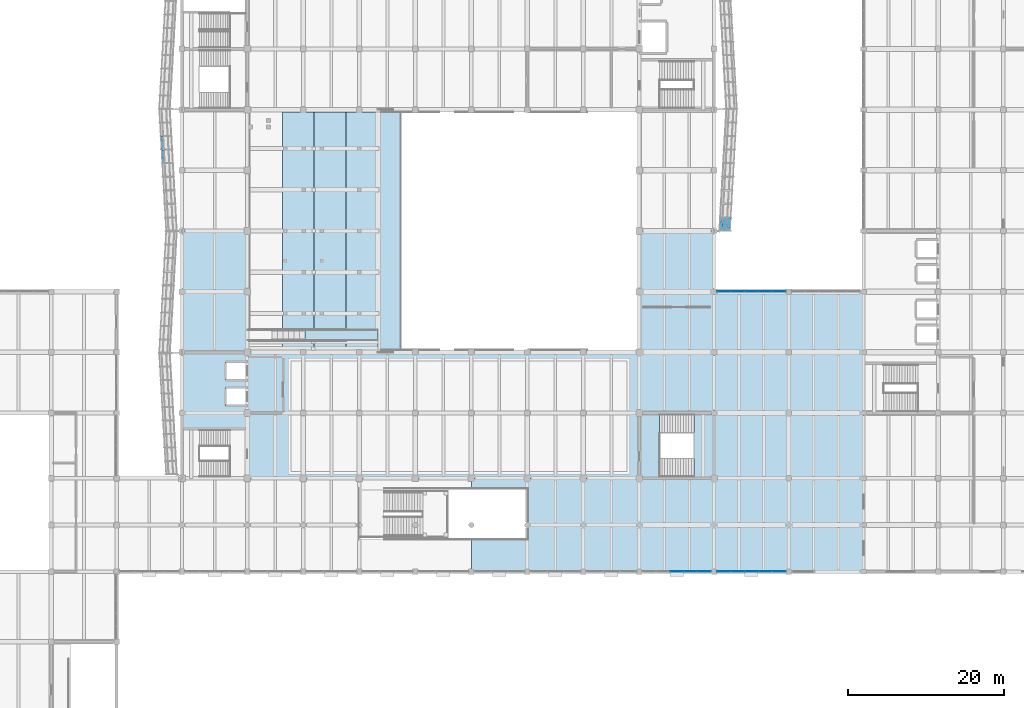
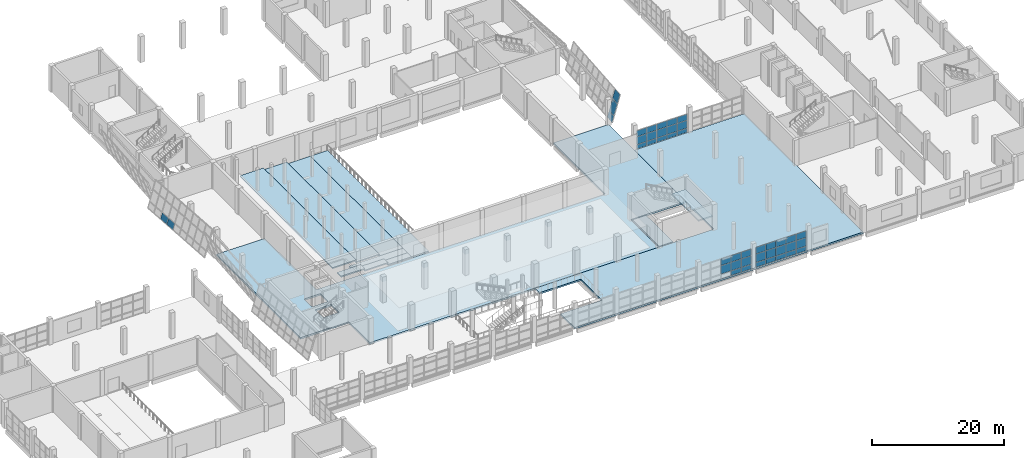
# One storey, part 69 of 91: 43 plates, 12 slabs, 6 elements without a shape of their own.
"""IFC4 building model written with IfcOpenShell, lengths in metres."""

from ifc_helpers import new_model, si_unit, direction, frame, origin, place, context, subcontext, project, spatial, polyline, outline, extrude, material, layer, layer_set, type_object, element, aggregate, save


model = new_model("IFC4")

# Units and contexts
model_context = context("Model", 3, precision=1e-05, world=origin(), true_north=direction((0.0, 1.0)))
body_context = subcontext(model_context, "Body", "Model", "MODEL_VIEW")
ifc_project = project(units=[si_unit("LENGTHUNIT", "METRE"), si_unit("AREAUNIT", "SQUARE_METRE"), si_unit("VOLUMEUNIT", "CUBIC_METRE"), si_unit("PLANEANGLEUNIT", "RADIAN"), si_unit("MASSUNIT", "GRAM", prefix="KILO")], contexts=[model_context])

# Site, building, storey
site_placement = place(None, origin())
site = spatial("IfcSite", under=ifc_project, at=site_placement, CompositionType="ELEMENT")
building_placement = place(site_placement, origin())
building = spatial("IfcBuilding", under=site, at=building_placement, Name="Pellamere Symphony Hall", CompositionType="ELEMENT")
storey_placement = place(building_placement, frame((0.0, 0.0, 5.39990234375)))
storey = spatial("IfcBuildingStorey", under=building, at=storey_placement, Name="L01", CompositionType="ELEMENT", Elevation=5.39990234375)

# Curtain wall, plates
ifc_material_1 = material(Name="Thermally Broken Anodised Aluminium 6063-T6 Curtain Wall", Category="aluminium")
curtain_wall_type_1 = type_object("IfcCurtainWallType", Name="Curtain Wall CW-02 (Winter-Garden South Concourse Curtain Wall)", PredefinedType="NOTDEFINED", material=ifc_material_1)
curtain_wall_1_placement = place(storey_placement, origin())
curtain_wall_1 = element("IfcCurtainWall", 1, at=curtain_wall_1_placement, inside=storey, type_object=curtain_wall_type_1, Name="Winter-Garden South Curtain Wall (L01 Bay 10)", PredefinedType="NOTDEFINED")
ifc_material_2 = material(Name="Triple Low-E Argon Acoustic Glazing 36mm", Category="glass")
ifc_layer_1 = layer(ifc_material_2, 0.035888671875, Name="Triple Low-E Argon Acoustic Glazing 36mm")
ifc_layer_set_1 = layer_set([ifc_layer_1], Name="Triple Low-E Argon Acoustic Glazing 36mm")
plate_type_1 = type_object("IfcPlateType", Name="Facade Panel GL-01 36mm", PredefinedType="CURTAIN_PANEL", material=ifc_layer_set_1)
plate_1_placement = place(storey_placement, frame((113.142578125, 18.0, 0.939697265625), z_axis=(0.0, -1.0, 0.0), x_axis=(1.0, 0.0, 0.0)))
plate_1 = element("IfcPlate", 2, at=plate_1_placement, type_object=plate_type_1, Name="CW2-075 crystal glass panel 3.2", PredefinedType="CURTAIN_PANEL", context=body_context, shape_type="SweptSolid", body=[
    extrude(outline(polyline([(0.0, 0.0), (1.71484375, 0.0), (1.71484375, 1.522705078125), (0.0, 1.522705078125), (0.0, 0.0)])), origin(), (0.0, 0.0, -1.0), 0.035888671875),
])
plate_2_placement = place(storey_placement, frame((113.142578125, 18.0, 2.52734375), z_axis=(0.0, -1.0, 0.0), x_axis=(1.0, 0.0, 0.0)))
plate_2 = element("IfcPlate", 3, at=plate_2_placement, type_object=plate_type_1, Name="CW2-075 crystal glass panel 3.3", PredefinedType="CURTAIN_PANEL", context=body_context, shape_type="SweptSolid", body=[
    extrude(outline(polyline([(0.0, 0.0), (1.71484375, 0.0), (1.71484375, 1.187744140625), (0.0, 1.187744140625), (0.0, 0.0)])), origin(), (0.0, 0.0, -1.0), 0.035888671875),
])
plate_3_placement = place(storey_placement, frame((114.922607421875, 18.0, 0.065185546875), z_axis=(0.0, -1.0, 0.0), x_axis=(1.0, 0.0, 0.0)))
plate_3 = element("IfcPlate", 4, at=plate_3_placement, type_object=plate_type_1, Name="CW2-075 crystal glass panel 4.1", PredefinedType="CURTAIN_PANEL", context=body_context, shape_type="SweptSolid", body=[
    extrude(outline(polyline([(0.0, 0.0), (1.71484375, 0.0), (1.71484375, 0.8095703125), (0.0, 0.8095703125), (0.0, 0.0)])), origin(), (0.0, 0.0, -1.0), 0.035888671875),
])
plate_4_placement = place(storey_placement, frame((114.922607421875, 18.0, 0.939697265625), z_axis=(0.0, -1.0, 0.0), x_axis=(1.0, 0.0, 0.0)))
plate_4 = element("IfcPlate", 5, at=plate_4_placement, type_object=plate_type_1, Name="CW2-075 crystal glass panel 4.2", PredefinedType="CURTAIN_PANEL", context=body_context, shape_type="SweptSolid", body=[
    extrude(outline(polyline([(0.0, 0.0), (1.71484375, 0.0), (1.71484375, 1.522705078125), (0.0, 1.522705078125), (0.0, 0.0)])), origin(), (0.0, 0.0, -1.0), 0.035888671875),
])
plate_5_placement = place(storey_placement, frame((114.922607421875, 18.0, 2.52734375), z_axis=(0.0, -1.0, 0.0), x_axis=(1.0, 0.0, 0.0)))
plate_5 = element("IfcPlate", 6, at=plate_5_placement, type_object=plate_type_1, Name="CW2-075 crystal glass panel 4.3", PredefinedType="CURTAIN_PANEL", context=body_context, shape_type="SweptSolid", body=[
    extrude(outline(polyline([(0.0, 0.0), (1.71484375, 0.0), (1.71484375, 1.187744140625), (0.0, 1.187744140625), (0.0, 0.0)])), origin(), (0.0, 0.0, -1.0), 0.035888671875),
])
plate_6_placement = place(storey_placement, frame((116.702392578125, 18.0, 0.065185546875), z_axis=(0.0, -1.0, 0.0), x_axis=(1.0, 0.0, 0.0)))
plate_6 = element("IfcPlate", 7, at=plate_6_placement, type_object=plate_type_1, Name="CW2-075 crystal glass panel 5.1", PredefinedType="CURTAIN_PANEL", context=body_context, shape_type="SweptSolid", body=[
    extrude(outline(polyline([(0.0, 0.0), (1.6826171875, 0.0), (1.6826171875, 0.8095703125), (0.0, 0.8095703125), (0.0, 0.0)])), origin(), (0.0, 0.0, -1.0), 0.035888671875),
])
plate_7_placement = place(storey_placement, frame((116.702392578125, 18.0, 0.939697265625), z_axis=(0.0, -1.0, 0.0), x_axis=(1.0, 0.0, 0.0)))
plate_7 = element("IfcPlate", 8, at=plate_7_placement, type_object=plate_type_1, Name="CW2-075 crystal glass panel 5.2", PredefinedType="CURTAIN_PANEL", context=body_context, shape_type="SweptSolid", body=[
    extrude(outline(polyline([(0.0, 0.0), (1.6826171875, 0.0), (1.6826171875, 1.522705078125), (0.0, 1.522705078125), (0.0, 0.0)])), origin(), (0.0, 0.0, -1.0), 0.035888671875),
])
plate_8_placement = place(storey_placement, frame((116.702392578125, 18.0, 2.52734375), z_axis=(0.0, -1.0, 0.0), x_axis=(1.0, 0.0, 0.0)))
plate_8 = element("IfcPlate", 9, at=plate_8_placement, type_object=plate_type_1, Name="CW2-075 crystal glass panel 5.3", PredefinedType="CURTAIN_PANEL", context=body_context, shape_type="SweptSolid", body=[
    extrude(outline(polyline([(0.0, 0.0), (1.6826171875, 0.0), (1.6826171875, 1.187744140625), (0.0, 1.187744140625), (0.0, 0.0)])), origin(), (0.0, 0.0, -1.0), 0.035888671875),
])
aggregate(curtain_wall_1, [plate_1, plate_2, plate_3, plate_4, plate_5, plate_6, plate_7, plate_8])

curtain_wall_2_placement = place(storey_placement, origin())
curtain_wall_2 = element("IfcCurtainWall", 10, at=curtain_wall_2_placement, inside=storey, type_object=curtain_wall_type_1, Name="Winter-Garden South Curtain Wall (L01 Bay 11)", PredefinedType="NOTDEFINED")
plate_9_placement = place(storey_placement, frame((119.215087890625, 18.0, 0.065185546875), z_axis=(0.0, -1.0, 0.0), x_axis=(1.0, 0.0, 0.0)))
plate_9 = element("IfcPlate", 11, at=plate_9_placement, type_object=plate_type_1, Name="CW2-076 crystal glass panel 1.1", PredefinedType="CURTAIN_PANEL", context=body_context, shape_type="SweptSolid", body=[
    extrude(outline(polyline([(0.0, 0.0), (1.682373046875, 0.0), (1.682373046875, 0.8095703125), (0.0, 0.8095703125), (0.0, 0.0)])), origin(), (0.0, 0.0, -1.0), 0.035888671875),
])
plate_10_placement = place(storey_placement, frame((119.215087890625, 18.0, 0.939697265625), z_axis=(0.0, -1.0, 0.0), x_axis=(1.0, 0.0, 0.0)))
plate_10 = element("IfcPlate", 12, at=plate_10_placement, type_object=plate_type_1, Name="CW2-076 crystal glass panel 1.2", PredefinedType="CURTAIN_PANEL", context=body_context, shape_type="SweptSolid", body=[
    extrude(outline(polyline([(0.0, 0.0), (1.682373046875, 0.0), (1.682373046875, 1.522705078125), (0.0, 1.522705078125), (0.0, 0.0)])), origin(), (0.0, 0.0, -1.0), 0.035888671875),
])
plate_11_placement = place(storey_placement, frame((119.215087890625, 18.0, 2.52734375), z_axis=(0.0, -1.0, 0.0), x_axis=(1.0, 0.0, 0.0)))
plate_11 = element("IfcPlate", 13, at=plate_11_placement, type_object=plate_type_1, Name="CW2-076 crystal glass panel 1.3", PredefinedType="CURTAIN_PANEL", context=body_context, shape_type="SweptSolid", body=[
    extrude(outline(polyline([(0.0, 0.0), (1.682373046875, 0.0), (1.682373046875, 1.187744140625), (0.0, 1.187744140625), (0.0, 0.0)])), origin(), (0.0, 0.0, -1.0), 0.035888671875),
])
plate_12_placement = place(storey_placement, frame((120.96240234375, 18.0, 0.065185546875), z_axis=(0.0, -1.0, 0.0), x_axis=(1.0, 0.0, 0.0)))
plate_12 = element("IfcPlate", 14, at=plate_12_placement, type_object=plate_type_1, Name="CW2-076 crystal glass panel 2.1", PredefinedType="CURTAIN_PANEL", context=body_context, shape_type="SweptSolid", body=[
    extrude(outline(polyline([(0.0, 0.0), (1.715087890625, 0.0), (1.715087890625, 0.8095703125), (0.0, 0.8095703125), (0.0, 0.0)])), origin(), (0.0, 0.0, -1.0), 0.035888671875),
])
plate_13_placement = place(storey_placement, frame((120.96240234375, 18.0, 0.939697265625), z_axis=(0.0, -1.0, 0.0), x_axis=(1.0, 0.0, 0.0)))
plate_13 = element("IfcPlate", 15, at=plate_13_placement, type_object=plate_type_1, Name="CW2-076 crystal glass panel 2.2", PredefinedType="CURTAIN_PANEL", context=body_context, shape_type="SweptSolid", body=[
    extrude(outline(polyline([(0.0, 0.0), (1.715087890625, 0.0), (1.715087890625, 1.522705078125), (0.0, 1.522705078125), (0.0, 0.0)])), origin(), (0.0, 0.0, -1.0), 0.035888671875),
])
plate_14_placement = place(storey_placement, frame((120.96240234375, 18.0, 2.52734375), z_axis=(0.0, -1.0, 0.0), x_axis=(1.0, 0.0, 0.0)))
plate_14 = element("IfcPlate", 16, at=plate_14_placement, type_object=plate_type_1, Name="CW2-076 crystal glass panel 2.3", PredefinedType="CURTAIN_PANEL", context=body_context, shape_type="SweptSolid", body=[
    extrude(outline(polyline([(0.0, 0.0), (1.715087890625, 0.0), (1.715087890625, 1.187744140625), (0.0, 1.187744140625), (0.0, 0.0)])), origin(), (0.0, 0.0, -1.0), 0.035888671875),
])
plate_15_placement = place(storey_placement, frame((122.742431640625, 18.0, 0.065185546875), z_axis=(0.0, -1.0, 0.0), x_axis=(1.0, 0.0, 0.0)))
plate_15 = element("IfcPlate", 17, at=plate_15_placement, type_object=plate_type_1, Name="CW2-076 crystal glass panel 3.1", PredefinedType="CURTAIN_PANEL", context=body_context, shape_type="SweptSolid", body=[
    extrude(outline(polyline([(0.0, 0.0), (1.715087890625, 0.0), (1.715087890625, 0.8095703125), (0.0, 0.8095703125), (0.0, 0.0)])), origin(), (0.0, 0.0, -1.0), 0.035888671875),
])
plate_16_placement = place(storey_placement, frame((122.742431640625, 18.0, 0.939697265625), z_axis=(0.0, -1.0, 0.0), x_axis=(1.0, 0.0, 0.0)))
plate_16 = element("IfcPlate", 18, at=plate_16_placement, type_object=plate_type_1, Name="CW2-076 crystal glass panel 3.2", PredefinedType="CURTAIN_PANEL", context=body_context, shape_type="SweptSolid", body=[
    extrude(outline(polyline([(0.0, 0.0), (1.715087890625, 0.0), (1.715087890625, 1.522705078125), (0.0, 1.522705078125), (0.0, 0.0)])), origin(), (0.0, 0.0, -1.0), 0.035888671875),
])
plate_17_placement = place(storey_placement, frame((122.742431640625, 18.0, 2.52734375), z_axis=(0.0, -1.0, 0.0), x_axis=(1.0, 0.0, 0.0)))
plate_17 = element("IfcPlate", 19, at=plate_17_placement, type_object=plate_type_1, Name="CW2-076 crystal glass panel 3.3", PredefinedType="CURTAIN_PANEL", context=body_context, shape_type="SweptSolid", body=[
    extrude(outline(polyline([(0.0, 0.0), (1.715087890625, 0.0), (1.715087890625, 1.187744140625), (0.0, 1.187744140625), (0.0, 0.0)])), origin(), (0.0, 0.0, -1.0), 0.035888671875),
])
plate_18_placement = place(storey_placement, frame((124.5224609375, 18.0, 0.065185546875), z_axis=(0.0, -1.0, 0.0), x_axis=(1.0, 0.0, 0.0)))
plate_18 = element("IfcPlate", 20, at=plate_18_placement, type_object=plate_type_1, Name="CW2-076 crystal glass panel 4.1", PredefinedType="CURTAIN_PANEL", context=body_context, shape_type="SweptSolid", body=[
    extrude(outline(polyline([(0.0, 0.0), (1.715087890625, 0.0), (1.715087890625, 0.8095703125), (0.0, 0.8095703125), (0.0, 0.0)])), origin(), (0.0, 0.0, -1.0), 0.035888671875),
])
plate_19_placement = place(storey_placement, frame((124.5224609375, 18.0, 0.939697265625), z_axis=(0.0, -1.0, 0.0), x_axis=(1.0, 0.0, 0.0)))
plate_19 = element("IfcPlate", 21, at=plate_19_placement, type_object=plate_type_1, Name="CW2-076 crystal glass panel 4.2", PredefinedType="CURTAIN_PANEL", context=body_context, shape_type="SweptSolid", body=[
    extrude(outline(polyline([(0.0, 0.0), (1.715087890625, 0.0), (1.715087890625, 1.522705078125), (0.0, 1.522705078125), (0.0, 0.0)])), origin(), (0.0, 0.0, -1.0), 0.035888671875),
])
plate_20_placement = place(storey_placement, frame((124.5224609375, 18.0, 2.52734375), z_axis=(0.0, -1.0, 0.0), x_axis=(1.0, 0.0, 0.0)))
plate_20 = element("IfcPlate", 22, at=plate_20_placement, type_object=plate_type_1, Name="CW2-076 crystal glass panel 4.3", PredefinedType="CURTAIN_PANEL", context=body_context, shape_type="SweptSolid", body=[
    extrude(outline(polyline([(0.0, 0.0), (1.715087890625, 0.0), (1.715087890625, 1.187744140625), (0.0, 1.187744140625), (0.0, 0.0)])), origin(), (0.0, 0.0, -1.0), 0.035888671875),
])
plate_21_placement = place(storey_placement, frame((126.302490234375, 18.0, 0.065185546875), z_axis=(0.0, -1.0, 0.0), x_axis=(1.0, 0.0, 0.0)))
plate_21 = element("IfcPlate", 23, at=plate_21_placement, type_object=plate_type_1, Name="CW2-076 crystal glass panel 5.1", PredefinedType="CURTAIN_PANEL", context=body_context, shape_type="SweptSolid", body=[
    extrude(outline(polyline([(0.0, 0.0), (1.6826171875, 0.0), (1.6826171875, 0.8095703125), (0.0, 0.8095703125), (0.0, 0.0)])), origin(), (0.0, 0.0, -1.0), 0.035888671875),
])
plate_22_placement = place(storey_placement, frame((126.302490234375, 18.0, 0.939697265625), z_axis=(0.0, -1.0, 0.0), x_axis=(1.0, 0.0, 0.0)))
plate_22 = element("IfcPlate", 24, at=plate_22_placement, type_object=plate_type_1, Name="CW2-076 crystal glass panel 5.2", PredefinedType="CURTAIN_PANEL", context=body_context, shape_type="SweptSolid", body=[
    extrude(outline(polyline([(0.0, 0.0), (1.6826171875, 0.0), (1.6826171875, 1.522705078125), (0.0, 1.522705078125), (0.0, 0.0)])), origin(), (0.0, 0.0, -1.0), 0.035888671875),
])
plate_23_placement = place(storey_placement, frame((126.302490234375, 18.0, 2.52734375), z_axis=(0.0, -1.0, 0.0), x_axis=(1.0, 0.0, 0.0)))
plate_23 = element("IfcPlate", 25, at=plate_23_placement, type_object=plate_type_1, Name="CW2-076 crystal glass panel 5.3", PredefinedType="CURTAIN_PANEL", context=body_context, shape_type="SweptSolid", body=[
    extrude(outline(polyline([(0.0, 0.0), (1.6826171875, 0.0), (1.6826171875, 1.187744140625), (0.0, 1.187744140625), (0.0, 0.0)])), origin(), (0.0, 0.0, -1.0), 0.035888671875),
])
aggregate(curtain_wall_2, [plate_9, plate_10, plate_11, plate_12, plate_13, plate_14, plate_15, plate_16, plate_17, plate_18, plate_19, plate_20, plate_21, plate_22, plate_23])

curtain_wall_type_2 = type_object("IfcCurtainWallType", Name="Curtain Wall CW-03 (Sculpture Court Glazed Link Curtain Wall)", PredefinedType="NOTDEFINED", material=ifc_material_1)
curtain_wall_3_placement = place(storey_placement, origin())
curtain_wall_3 = element("IfcCurtainWall", 26, at=curtain_wall_3_placement, inside=storey, type_object=curtain_wall_type_2, Name="Sculpture Court Link Curtain Wall (L01 Bay 1)", PredefinedType="NOTDEFINED")
plate_24_placement = place(storey_placement, frame((119.2099609375, 54.0, 0.06005859375), z_axis=(0.0, -1.0, 0.0), x_axis=(1.0, 0.0, 0.0)))
plate_24 = element("IfcPlate", 27, at=plate_24_placement, type_object=plate_type_1, Name="CW3-103 crystal glass panel 1.1", PredefinedType="CURTAIN_PANEL", context=body_context, shape_type="SweptSolid", body=[
    extrude(outline(polyline([(0.0, 0.0), (1.68994140625, 0.0), (1.68994140625, 0.7451171875), (0.0, 0.7451171875), (0.0, 0.0)])), origin(), (0.0, 0.0, -1.0), 0.035888671875),
])
plate_25_placement = place(storey_placement, frame((119.2099609375, 54.0, 0.865234375), z_axis=(0.0, -1.0, 0.0), x_axis=(1.0, 0.0, 0.0)))
plate_25 = element("IfcPlate", 28, at=plate_25_placement, type_object=plate_type_1, Name="CW3-103 crystal glass panel 1.2", PredefinedType="CURTAIN_PANEL", context=body_context, shape_type="SweptSolid", body=[
    extrude(outline(polyline([(0.0, 0.0), (1.68994140625, 0.0), (1.68994140625, 1.401611328125), (0.0, 1.401611328125), (0.0, 0.0)])), origin(), (0.0, 0.0, -1.0), 0.035888671875),
])
plate_26_placement = place(storey_placement, frame((119.2099609375, 54.0, 2.326904296875), z_axis=(0.0, -1.0, 0.0), x_axis=(1.0, 0.0, 0.0)))
plate_26 = element("IfcPlate", 29, at=plate_26_placement, type_object=plate_type_1, Name="CW3-103 crystal glass panel 1.3", PredefinedType="CURTAIN_PANEL", context=body_context, shape_type="SweptSolid", body=[
    extrude(outline(polyline([(0.0, 0.0), (1.68994140625, 0.0), (1.68994140625, 1.09326171875), (0.0, 1.09326171875), (0.0, 0.0)])), origin(), (0.0, 0.0, -1.0), 0.035888671875),
])
plate_27_placement = place(storey_placement, frame((120.9599609375, 54.0, 0.06005859375), z_axis=(0.0, -1.0, 0.0), x_axis=(1.0, 0.0, 0.0)))
plate_27 = element("IfcPlate", 30, at=plate_27_placement, type_object=plate_type_1, Name="CW3-103 crystal glass panel 2.1", PredefinedType="CURTAIN_PANEL", context=body_context, shape_type="SweptSolid", body=[
    extrude(outline(polyline([(0.0, 0.0), (1.719970703125, 0.0), (1.719970703125, 0.7451171875), (0.0, 0.7451171875), (0.0, 0.0)])), origin(), (0.0, 0.0, -1.0), 0.035888671875),
])
plate_28_placement = place(storey_placement, frame((120.9599609375, 54.0, 0.865234375), z_axis=(0.0, -1.0, 0.0), x_axis=(1.0, 0.0, 0.0)))
plate_28 = element("IfcPlate", 31, at=plate_28_placement, type_object=plate_type_1, Name="CW3-103 crystal glass panel 2.2", PredefinedType="CURTAIN_PANEL", context=body_context, shape_type="SweptSolid", body=[
    extrude(outline(polyline([(0.0, 0.0), (1.719970703125, 0.0), (1.719970703125, 1.401611328125), (0.0, 1.401611328125), (0.0, 0.0)])), origin(), (0.0, 0.0, -1.0), 0.035888671875),
])
plate_29_placement = place(storey_placement, frame((120.9599609375, 54.0, 2.326904296875), z_axis=(0.0, -1.0, 0.0), x_axis=(1.0, 0.0, 0.0)))
plate_29 = element("IfcPlate", 32, at=plate_29_placement, type_object=plate_type_1, Name="CW3-103 crystal glass panel 2.3", PredefinedType="CURTAIN_PANEL", context=body_context, shape_type="SweptSolid", body=[
    extrude(outline(polyline([(0.0, 0.0), (1.719970703125, 0.0), (1.719970703125, 1.09326171875), (0.0, 1.09326171875), (0.0, 0.0)])), origin(), (0.0, 0.0, -1.0), 0.035888671875),
])
plate_30_placement = place(storey_placement, frame((122.739990234375, 54.0, 0.06005859375), z_axis=(0.0, -1.0, 0.0), x_axis=(1.0, 0.0, 0.0)))
plate_30 = element("IfcPlate", 33, at=plate_30_placement, type_object=plate_type_1, Name="CW3-103 crystal glass panel 3.1", PredefinedType="CURTAIN_PANEL", context=body_context, shape_type="SweptSolid", body=[
    extrude(outline(polyline([(0.0, 0.0), (1.719970703125, 0.0), (1.719970703125, 0.7451171875), (0.0, 0.7451171875), (0.0, 0.0)])), origin(), (0.0, 0.0, -1.0), 0.035888671875),
])
plate_31_placement = place(storey_placement, frame((122.739990234375, 54.0, 0.865234375), z_axis=(0.0, -1.0, 0.0), x_axis=(1.0, 0.0, 0.0)))
plate_31 = element("IfcPlate", 34, at=plate_31_placement, type_object=plate_type_1, Name="CW3-103 crystal glass panel 3.2", PredefinedType="CURTAIN_PANEL", context=body_context, shape_type="SweptSolid", body=[
    extrude(outline(polyline([(0.0, 0.0), (1.719970703125, 0.0), (1.719970703125, 1.401611328125), (0.0, 1.401611328125), (0.0, 0.0)])), origin(), (0.0, 0.0, -1.0), 0.035888671875),
])
plate_32_placement = place(storey_placement, frame((122.739990234375, 54.0, 2.326904296875), z_axis=(0.0, -1.0, 0.0), x_axis=(1.0, 0.0, 0.0)))
plate_32 = element("IfcPlate", 35, at=plate_32_placement, type_object=plate_type_1, Name="CW3-103 crystal glass panel 3.3", PredefinedType="CURTAIN_PANEL", context=body_context, shape_type="SweptSolid", body=[
    extrude(outline(polyline([(0.0, 0.0), (1.719970703125, 0.0), (1.719970703125, 1.09326171875), (0.0, 1.09326171875), (0.0, 0.0)])), origin(), (0.0, 0.0, -1.0), 0.035888671875),
])
plate_33_placement = place(storey_placement, frame((124.52001953125, 54.0, 0.06005859375), z_axis=(0.0, -1.0, 0.0), x_axis=(1.0, 0.0, 0.0)))
plate_33 = element("IfcPlate", 36, at=plate_33_placement, type_object=plate_type_1, Name="CW3-103 crystal glass panel 4.1", PredefinedType="CURTAIN_PANEL", context=body_context, shape_type="SweptSolid", body=[
    extrude(outline(polyline([(0.0, 0.0), (1.719970703125, 0.0), (1.719970703125, 0.7451171875), (0.0, 0.7451171875), (0.0, 0.0)])), origin(), (0.0, 0.0, -1.0), 0.035888671875),
])
plate_34_placement = place(storey_placement, frame((124.52001953125, 54.0, 0.865234375), z_axis=(0.0, -1.0, 0.0), x_axis=(1.0, 0.0, 0.0)))
plate_34 = element("IfcPlate", 37, at=plate_34_placement, type_object=plate_type_1, Name="CW3-103 crystal glass panel 4.2", PredefinedType="CURTAIN_PANEL", context=body_context, shape_type="SweptSolid", body=[
    extrude(outline(polyline([(0.0, 0.0), (1.719970703125, 0.0), (1.719970703125, 1.401611328125), (0.0, 1.401611328125), (0.0, 0.0)])), origin(), (0.0, 0.0, -1.0), 0.035888671875),
])
plate_35_placement = place(storey_placement, frame((124.52001953125, 54.0, 2.326904296875), z_axis=(0.0, -1.0, 0.0), x_axis=(1.0, 0.0, 0.0)))
plate_35 = element("IfcPlate", 38, at=plate_35_placement, type_object=plate_type_1, Name="CW3-103 crystal glass panel 4.3", PredefinedType="CURTAIN_PANEL", context=body_context, shape_type="SweptSolid", body=[
    extrude(outline(polyline([(0.0, 0.0), (1.719970703125, 0.0), (1.719970703125, 1.09326171875), (0.0, 1.09326171875), (0.0, 0.0)])), origin(), (0.0, 0.0, -1.0), 0.035888671875),
])
plate_36_placement = place(storey_placement, frame((126.300048828125, 54.0, 0.06005859375), z_axis=(0.0, -1.0, 0.0), x_axis=(1.0, 0.0, 0.0)))
plate_36 = element("IfcPlate", 39, at=plate_36_placement, type_object=plate_type_1, Name="CW3-103 crystal glass panel 5.1", PredefinedType="CURTAIN_PANEL", context=body_context, shape_type="SweptSolid", body=[
    extrude(outline(polyline([(0.0, 0.0), (1.68994140625, 0.0), (1.68994140625, 0.7451171875), (0.0, 0.7451171875), (0.0, 0.0)])), origin(), (0.0, 0.0, -1.0), 0.035888671875),
])
plate_37_placement = place(storey_placement, frame((126.300048828125, 54.0, 0.865234375), z_axis=(0.0, -1.0, 0.0), x_axis=(1.0, 0.0, 0.0)))
plate_37 = element("IfcPlate", 40, at=plate_37_placement, type_object=plate_type_1, Name="CW3-103 crystal glass panel 5.2", PredefinedType="CURTAIN_PANEL", context=body_context, shape_type="SweptSolid", body=[
    extrude(outline(polyline([(0.0, 0.0), (1.68994140625, 0.0), (1.68994140625, 1.401611328125), (0.0, 1.401611328125), (0.0, 0.0)])), origin(), (0.0, 0.0, -1.0), 0.035888671875),
])
plate_38_placement = place(storey_placement, frame((126.300048828125, 54.0, 2.326904296875), z_axis=(0.0, -1.0, 0.0), x_axis=(1.0, 0.0, 0.0)))
plate_38 = element("IfcPlate", 41, at=plate_38_placement, type_object=plate_type_1, Name="CW3-103 crystal glass panel 5.3", PredefinedType="CURTAIN_PANEL", context=body_context, shape_type="SweptSolid", body=[
    extrude(outline(polyline([(0.0, 0.0), (1.68994140625, 0.0), (1.68994140625, 1.09326171875), (0.0, 1.09326171875), (0.0, 0.0)])), origin(), (0.0, 0.0, -1.0), 0.035888671875),
])
aggregate(curtain_wall_3, [plate_24, plate_25, plate_26, plate_27, plate_28, plate_29, plate_30, plate_31, plate_32, plate_33, plate_34, plate_35, plate_36, plate_37, plate_38])

curtain_wall_type_3 = type_object("IfcCurtainWallType", Name="Curtain Wall CW-01 (Tilted Faceted Crystal Low-Iron Curtain Wall)", PredefinedType="NOTDEFINED", material=ifc_material_1)
curtain_wall_4_placement = place(storey_placement, origin())
curtain_wall_4 = element("IfcCurtainWall", 42, at=curtain_wall_4_placement, inside=storey, type_object=curtain_wall_type_3, Name="Crystal Faceted Curtain Wall CW-CR08 (L01)", PredefinedType="NOTDEFINED")
ifc_material_3 = material(Name="Triple Laminated Acoustic Crystal Glazing 42mm", Category="glass")
ifc_layer_2 = layer(ifc_material_3, 0.0419921875, Name="Triple Laminated Acoustic Crystal Glazing 42mm")
ifc_layer_set_2 = layer_set([ifc_layer_2], Name="Triple Laminated Acoustic Crystal Glazing 42mm")
plate_type_2 = type_object("IfcPlateType", Name="Facade Panel GL-02 42mm", PredefinedType="CURTAIN_PANEL", material=ifc_layer_set_2)
plate_39_placement = place(storey_placement, frame((119.4755859375, 61.874755859375, 0.072021484375), z_axis=(-0.957370974675, 0.054841920924, 0.283607440943), x_axis=(0.057190120561, 0.998363305671, 0.0)))
plate_39 = element("IfcPlate", 43, at=plate_39_placement, type_object=plate_type_2, Name="CW1-013 crystal glass panel 1.1", PredefinedType="CURTAIN_PANEL", context=body_context, shape_type="SweptSolid", body=[
    extrude(outline(polyline([(0.0, 0.0), (1.6350002143288105, 0.0), (1.652690615391066, -1.088899143325306), (0.017690401062255792, -1.088899143325306), (0.0, 0.0)])), origin(), (0.0, 0.0, -1.0), 0.0419921875),
])
plate_40_placement = place(storey_placement, frame((119.80615234375, 61.874755859375, 1.18798828125), z_axis=(-0.957368517007, 0.05484178014, 0.283615764363), x_axis=(0.057190120561, 0.998363305671, 0.0)))
plate_40 = element("IfcPlate", 44, at=plate_40_placement, type_object=plate_type_2, Name="CW1-013 crystal glass panel 1.2", PredefinedType="CURTAIN_PANEL", context=body_context, shape_type="SweptSolid", body=[
    extrude(outline(polyline([(0.0, 0.0), (1.6350002143288105, 0.0), (1.667937590892237, -2.0273383533895144), (0.03293737656342653, -2.0273383533895144), (0.0, 0.0)])), origin(), (0.0, 0.0, -1.0), 0.0419921875),
])
plate_41_placement = place(storey_placement, frame((120.4033203125, 61.874755859375, 3.2041015625), z_axis=(-0.957387601061, 0.054842873348, 0.283551125158), x_axis=(0.057190120561, 0.998363305671, 0.0)))
plate_41 = element("IfcPlate", 45, at=plate_41_placement, type_object=plate_type_2, Name="CW1-013 crystal glass panel 1.3", PredefinedType="CURTAIN_PANEL", context=body_context, shape_type="SweptSolid", body=[
    extrude(outline(polyline([(0.0, 0.0), (1.6350002143288105, 0.0), (1.6608167506856462, -1.5894036228603892), (0.0258165363568358, -1.5894036228603892), (0.0, 0.0)])), origin(), (0.0, 0.0, -1.0), 0.0419921875),
])
aggregate(curtain_wall_4, [plate_39, plate_40, plate_41])

curtain_wall_5_placement = place(storey_placement, origin())
curtain_wall_5 = element("IfcCurtainWall", 46, at=curtain_wall_5_placement, inside=storey, type_object=curtain_wall_type_3, Name="Crystal Faceted Curtain Wall CW-CR16 (L01)", PredefinedType="NOTDEFINED")
plate_42_placement = place(storey_placement, frame((47.651611328125, 73.9736328125, 0.072021484375), z_axis=(-0.957368821144, -0.054882798755, 0.28360680299), x_axis=(0.057232737422, -0.998360863499, 0.0)))
plate_42 = element("IfcPlate", 47, at=plate_42_placement, type_object=plate_type_2, Name="CW1-043 crystal glass panel 3.1", PredefinedType="CURTAIN_PANEL", context=body_context, shape_type="SweptSolid", body=[
    extrude(outline(polyline([(0.0, 0.0), (1.6721745160346768, 3.469446951953614e-18), (1.6898780996073564, 1.0888989290806625), (0.01770358357267939, 1.0888989290806625), (0.0, 0.0)])), origin(), (0.0, 0.0, -1.0), 0.0419921875),
])
plate_43_placement = place(storey_placement, frame((47.751708984375, 72.229248046875, 0.072021484375), z_axis=(-0.95736924277, -0.054874797948, 0.283606927891), x_axis=(0.057224396245, -0.998361341637, 0.0)))
plate_43 = element("IfcPlate", 48, at=plate_43_placement, type_object=plate_type_2, Name="CW1-043 crystal glass panel 4.1", PredefinedType="CURTAIN_PANEL", context=body_context, shape_type="SweptSolid", body=[
    extrude(outline(polyline([(0.0, 0.0), (1.6724182565382377, -3.469446951953614e-18), (1.6901192599666512, 1.0888989710262178), (0.01770100342841346, 1.0888989710262178), (0.0, 0.0)])), origin(), (0.0, 0.0, -1.0), 0.0419921875),
])
aggregate(curtain_wall_5, [plate_42, plate_43])

# Stair, slabs
ifc_material_4 = material(Name="Concrete 40 MPa", Category="concrete")
stair_type = type_object("IfcStairType", Name="Stair ST-A W2400", PredefinedType="HALF_TURN_STAIR", material=ifc_material_4)
stair_placement = place(storey_placement, origin())
stair = element("IfcStair", 49, at=stair_placement, inside=storey, type_object=stair_type, Name="Exit Stair ST08-L01 (L01 to L02)", PredefinedType="HALF_TURN_STAIR")
ifc_layer_3 = layer(ifc_material_4, 0.219970703125, Name="Concrete 40 MPa")
ifc_layer_set_3 = layer_set([ifc_layer_3], Name="Concrete 40 MPa")
slab_type_1 = type_object("IfcSlabType", Name="Stair Landing SL-01 220mm", PredefinedType="LANDING", material=ifc_layer_set_3)
slab_1_placement = place(storey_placement, frame((0.0, 0.0, -0.219970703125)))
slab_1 = element("IfcSlab", 50, at=slab_1_placement, type_object=slab_type_1, Name="Stair ST08-L01 Bottom Landing (L01)", PredefinedType="LANDING", context=body_context, shape_type="SweptSolid", body=[
    extrude(outline(polyline([(109.360107421875, 30.159912109375), (111.77490234375, 30.159912109375), (111.77490234375, 38.239990234375), (109.360107421875, 38.239990234375), (109.360107421875, 30.159912109375)])), origin(), (0.0, 0.0, 1.0), 0.219970703125),
])
slab_2_placement = place(storey_placement, frame((0.0, 0.0, 2.18017578125)))
slab_2 = element("IfcSlab", 51, at=slab_2_placement, type_object=slab_type_1, Name="Stair ST08-L01 Half Landing (L01)", PredefinedType="LANDING", context=body_context, shape_type="SweptSolid", body=[
    extrude(outline(polyline([(116.22509765625, 30.159912109375), (118.639892578125, 30.159912109375), (118.639892578125, 38.239990234375), (116.22509765625, 38.239990234375), (116.22509765625, 30.159912109375)])), origin(), (0.0, 0.0, 1.0), 0.219970703125),
])
aggregate(stair, [slab_1, slab_2])

# Slabs
slab_3_placement = place(storey_placement, frame((0.0, 0.0, -0.219970703125)))
element("IfcSlab", 52, at=slab_3_placement, inside=storey, type_object=slab_type_1, Name="Vomitory VOM-03 Lower Landing", PredefinedType="LANDING", context=body_context, shape_type="SweptSolid", body=[
    extrude(outline(polyline([(66.199951171875, 47.699951171875), (75.60009765625, 47.699951171875), (75.60009765625, 49.10009765625), (66.199951171875, 49.10009765625), (66.199951171875, 47.699951171875)])), origin(), (0.0, 0.0, 1.0), 0.219970703125),
])
ifc_material_5 = material(Name="Architectural warm-pigmented concrete 40 MPa", Category="concrete")
ifc_layer_4 = layer(ifc_material_5, 0.239990234375, Name="Architectural warm-pigmented concrete 40 MPa")
ifc_layer_set_4 = layer_set([ifc_layer_4], Name="Architectural warm-pigmented concrete 40 MPa")
slab_type_2 = type_object("IfcSlabType", Name="Stair Landing SL-02 240mm", PredefinedType="LANDING", material=ifc_layer_set_4)
slab_4_placement = place(storey_placement, frame((0.0, 0.0, -0.239990234375)))
element("IfcSlab", 53, at=slab_4_placement, inside=storey, type_object=slab_type_2, Name="Main Hall Dress Circle Cross-Aisle Concourse", PredefinedType="LANDING", context=body_context, shape_type="SweptSolid", body=[
    extrude(outline(polyline([(75.60009765625, 46.5), (78.60009765625, 46.5), (78.60009765625, 77.10009765625), (75.60009765625, 77.10009765625), (75.60009765625, 46.5)])), origin(), (0.0, 0.0, 1.0), 0.239990234375),
])
ifc_layer_5 = layer(ifc_material_4, 0.300048828125, Name="Concrete 40 MPa")
ifc_layer_set_5 = layer_set([ifc_layer_5], Name="Concrete 40 MPa")
slab_type_3 = type_object("IfcSlabType", Name="Structural Slab FS-02 300mm", PredefinedType="FLOOR", material=ifc_layer_set_5)
slab_5_placement = place(storey_placement, frame((0.0, 0.0, -0.2998046875)))
element("IfcSlab", 54, at=slab_5_placement, inside=storey, type_object=slab_type_3, Name="Floor Slab L01-V4E-1", PredefinedType="FLOOR", context=body_context, shape_type="SweptSolid", body=[
    extrude(outline(polyline([(87.60009765625, 18.0), (87.60009765625, 22.199951171875), (94.800048828125, 22.199951171875), (94.800048828125, 28.60009765625), (87.60009765625, 28.60009765625), (87.60009765625, 30.0), (109.199951171875, 30.0), (118.800048828125, 30.0), (118.800048828125, 38.39990234375), (118.800048828125, 54.0), (138.0, 54.0), (138.0, 44.800048828125), (138.0, 38.39990234375), (138.0, 30.0), (138.0, 18.0), (87.60009765625, 18.0)])), origin(), (0.0, 0.0, 1.0), 0.2998046875),
])
slab_6_placement = place(storey_placement, frame((0.0, 0.0, -0.2998046875)))
element("IfcSlab", 55, at=slab_6_placement, inside=storey, type_object=slab_type_3, Name="Floor Slab L01-V1S-1", PredefinedType="FLOOR", context=body_context, shape_type="SweptSolid", body=[
    extrude(outline(polyline([(58.800048828125, 61.800048828125), (58.800048828125, 46.199951171875), (109.199951171875, 46.199951171875), (109.199951171875, 61.800048828125), (118.800048828125, 61.800048828125), (118.800048828125, 38.39990234375), (109.199951171875, 38.39990234375), (109.199951171875, 30.0), (58.800048828125, 30.0), (58.800048828125, 36.39990234375), (50.39990234375, 36.39990234375), (50.39990234375, 61.800048828125), (58.800048828125, 61.800048828125)]), holes=[polyline([(58.800048828125, 41.675048828125), (56.0, 41.675048828125), (56.0, 39.324951171875), (58.800048828125, 39.324951171875), (58.800048828125, 41.675048828125)]), polyline([(58.800048828125, 42.625), (58.800048828125, 44.97509765625), (56.0, 44.97509765625), (56.0, 42.625), (58.800048828125, 42.625)])]), origin(), (0.0, 0.0, 1.0), 0.2998046875),
])
ifc_material_6 = material(Name="Precast concrete 40 MPa", Category="concrete")
ifc_layer_6 = layer(ifc_material_6, 0.219970703125, Name="Precast concrete 40 MPa")
ifc_layer_set_6 = layer_set([ifc_layer_6], Name="Precast concrete 40 MPa")
slab_type_4 = type_object("IfcSlabType", Name="Structural Slab ST-T1 220mm", PredefinedType="USERDEFINED", material=ifc_layer_set_6)
slab_7_placement = place(storey_placement, frame((0.0, 0.0, -0.219970703125)))
element("IfcSlab", 56, at=slab_7_placement, inside=storey, type_object=slab_type_4, Name="Stand Dress Circle Bay 1", ObjectType="SEATING TIER", PredefinedType="USERDEFINED", context=body_context, shape_type="SweptSolid", body=[
    extrude(outline(polyline([(75.60009765625, 46.5), (71.5, 46.5), (71.5, 47.699951171875), (75.60009765625, 47.699951171875), (75.60009765625, 46.5)])), origin(), (0.0, 0.0, 1.0), 0.219970703125),
])
slab_8_placement = place(storey_placement, frame((0.0, 0.0, -0.219970703125)))
element("IfcSlab", 57, at=slab_8_placement, inside=storey, type_object=slab_type_4, Name="Stand Dress Circle Bay 1", ObjectType="SEATING TIER", PredefinedType="USERDEFINED", context=body_context, shape_type="SweptSolid", body=[
    extrude(outline(polyline([(71.5, 77.10009765625), (75.60009765625, 77.10009765625), (75.60009765625, 49.10009765625), (71.5, 49.10009765625), (71.5, 77.10009765625)])), origin(), (0.0, 0.0, 1.0), 0.219970703125),
])
slab_9_placement = place(storey_placement, frame((0.0, 0.0, 0.130126953125)))
element("IfcSlab", 58, at=slab_9_placement, inside=storey, type_object=slab_type_4, Name="Stand Dress Circle Bay 2", ObjectType="SEATING TIER", PredefinedType="USERDEFINED", context=body_context, shape_type="SweptSolid", body=[
    extrude(outline(polyline([(71.5, 46.5), (67.39990234375, 46.5), (67.39990234375, 47.699951171875), (71.5, 47.699951171875), (71.5, 46.5)])), origin(), (0.0, 0.0, 1.0), 0.219970703125),
])
slab_10_placement = place(storey_placement, frame((0.0, 0.0, 0.130126953125)))
element("IfcSlab", 59, at=slab_10_placement, inside=storey, type_object=slab_type_4, Name="Stand Dress Circle Bay 2", ObjectType="SEATING TIER", PredefinedType="USERDEFINED", context=body_context, shape_type="SweptSolid", body=[
    extrude(outline(polyline([(67.39990234375, 77.10009765625), (71.5, 77.10009765625), (71.5, 49.10009765625), (67.39990234375, 49.10009765625), (67.39990234375, 77.10009765625)])), origin(), (0.0, 0.0, 1.0), 0.219970703125),
])
slab_11_placement = place(storey_placement, frame((0.0, 0.0, 0.47998046875)))
element("IfcSlab", 60, at=slab_11_placement, inside=storey, type_object=slab_type_4, Name="Stand Dress Circle Bay 3", ObjectType="SEATING TIER", PredefinedType="USERDEFINED", context=body_context, shape_type="SweptSolid", body=[
    extrude(outline(polyline([(67.39990234375, 46.5), (63.300048828125, 46.5), (63.300048828125, 47.699951171875), (67.39990234375, 47.699951171875), (67.39990234375, 46.5)])), origin(), (0.0, 0.0, 1.0), 0.22021484375),
])
slab_12_placement = place(storey_placement, frame((0.0, 0.0, 0.47998046875)))
element("IfcSlab", 61, at=slab_12_placement, inside=storey, type_object=slab_type_4, Name="Stand Dress Circle Bay 3", ObjectType="SEATING TIER", PredefinedType="USERDEFINED", context=body_context, shape_type="SweptSolid", body=[
    extrude(outline(polyline([(63.300048828125, 77.10009765625), (67.39990234375, 77.10009765625), (67.39990234375, 49.10009765625), (63.300048828125, 49.10009765625), (63.300048828125, 77.10009765625)])), origin(), (0.0, 0.0, 1.0), 0.22021484375),
])

save(model, "model.ifc")
